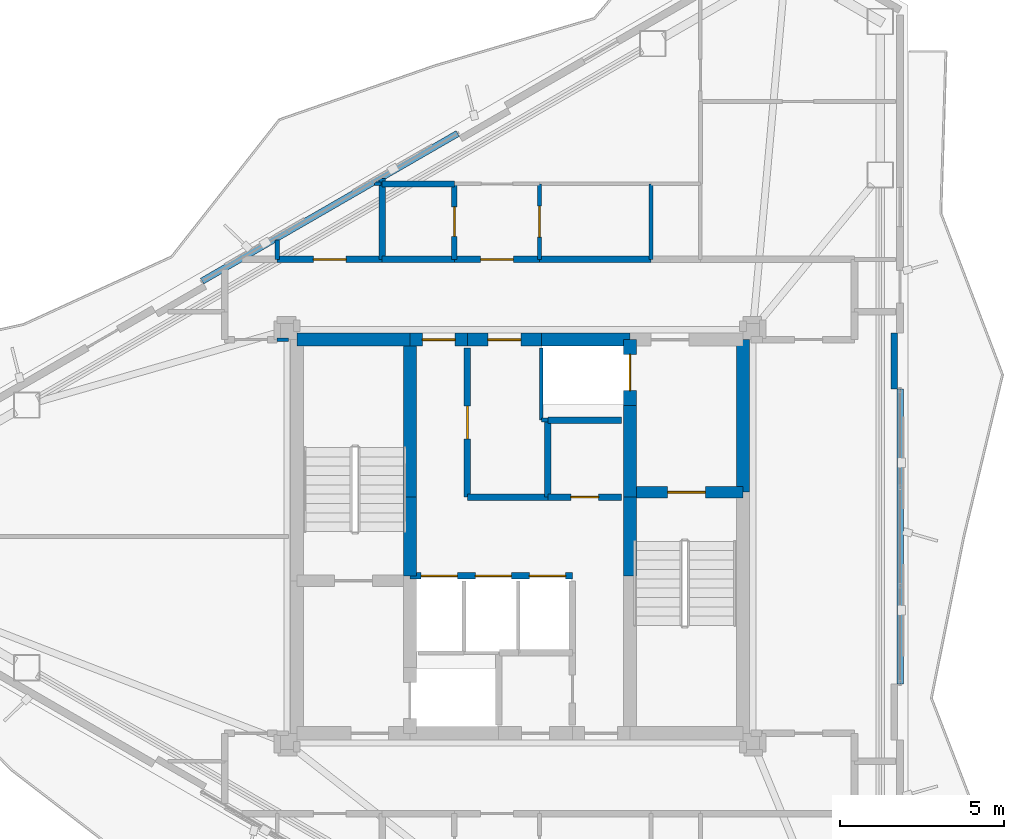
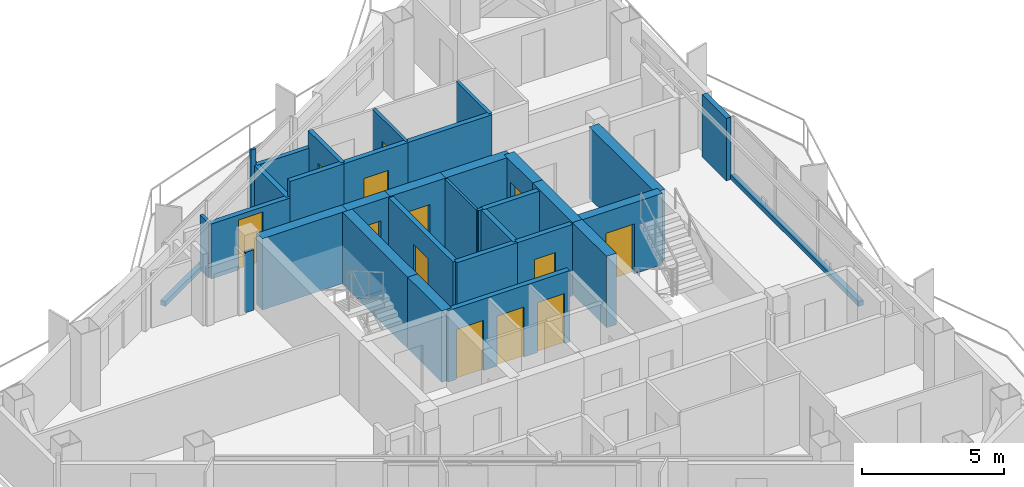
# One storey, part 18 of 22: 34 walls, 13 doors, 13 openings.
"""IFC4 building model written with IfcOpenShell, lengths in metres."""

import ifcopenshell
import ifcopenshell.guid

model = None  # the IFC model being written
_history = None  # IfcOwnerHistory: only IFC2X3 demands one
_inside = {}  # id of a spatial element -> (the spatial element, [elements in it])
_under = {}  # id of a project, library or spatial element -> (it, [spatial elements below it])
_declared = {}  # id of a project -> (the project, [libraries it declares])
_typed = {}  # id of a type object -> (the type object, [elements of that type])
_made_of = {}  # id of a material, layer set ... -> (it, [elements and type objects made of it])


def new_model(schema):
    """Start an empty IFC model of exactly this schema.

    Asked for "IFC4X3", IfcOpenShell would pick the latest addendum, in which some entities
    have other attributes; the version numbers below select the first issue.
    IFC2X3 requires an IfcOwnerHistory on every rooted entity: one is made here for all.
    """
    global model, _history
    if schema == "IFC4X3":
        model = ifcopenshell.file(schema_version=(4, 3, 0, 0))
    else:
        model = ifcopenshell.file(schema=schema)
    _inside.clear()
    _under.clear()
    _declared.clear()
    _typed.clear()
    _made_of.clear()
    _history = None
    if model.schema == "IFC2X3":
        org = make("IfcOrganization", Name="unknown")
        user = make(
            "IfcPersonAndOrganization",
            ThePerson=make("IfcPerson", FamilyName="unknown"),
            TheOrganization=org,
        )
        app = make(
            "IfcApplication",
            ApplicationDeveloper=org,
            Version="unknown",
            ApplicationFullName="unknown",
            ApplicationIdentifier="unknown",
        )
        _history = make(
            "IfcOwnerHistory",
            OwningUser=user,
            OwningApplication=app,
            ChangeAction="ADDED",
            CreationDate=0,
        )
    return model


def make(cls, **values):
    """One entity of the class cls with the attributes given. An attribute that is None is left unset."""
    return model.create_entity(
        cls, **{name: value for name, value in values.items() if value is not None}
    )


def rooted(cls, **values):
    """An entity with a GlobalId (a new one), such as an element, a storey or a relation."""
    return make(cls, GlobalId=ifcopenshell.guid.new(), OwnerHistory=_history, **values)


def si_unit(unit_type, name, prefix=None):
    """IfcSIUnit, for example si_unit("LENGTHUNIT", "METRE", prefix="MILLI")."""
    return make("IfcSIUnit", UnitType=unit_type, Prefix=prefix, Name=name)


def assignment(units):
    """IfcUnitAssignment: the units of a project."""
    return None if units is None else make("IfcUnitAssignment", Units=units)


def point(xyz):
    """IfcCartesianPoint."""
    return None if xyz is None else make("IfcCartesianPoint", Coordinates=xyz)


def direction(xyz):
    """IfcDirection."""
    return None if xyz is None else make("IfcDirection", DirectionRatios=xyz)


def frame(location, z_axis=None, x_axis=None):
    """IfcAxis2Placement3D, a coordinate frame: its origin and axes. An axis left out is left unset."""
    return make(
        "IfcAxis2Placement3D",
        Location=point(location),
        Axis=direction(z_axis),
        RefDirection=direction(x_axis),
    )


def frame_2d(location, x_axis=None):
    """IfcAxis2Placement2D, a coordinate frame in the plane: its origin and x axis."""
    return make(
        "IfcAxis2Placement2D", Location=point(location), RefDirection=direction(x_axis)
    )


def origin():
    """The frame at (0, 0, 0) with its axes left unset."""
    return frame((0.0, 0.0, 0.0))


def place(relative_to, where):
    """IfcLocalPlacement: puts the frame where relative to a parent placement (None: the world)."""
    return make(
        "IfcLocalPlacement", PlacementRelTo=relative_to, RelativePlacement=where
    )


def context(
    kind, dimensions, precision=None, world=None, true_north=None, identifier=None
):
    """IfcGeometricRepresentationContext, for example the 3D "Model" context."""
    return make(
        "IfcGeometricRepresentationContext",
        ContextIdentifier=identifier,
        ContextType=kind,
        CoordinateSpaceDimension=dimensions,
        Precision=precision,
        WorldCoordinateSystem=world,
        TrueNorth=true_north,
    )


def subcontext(parent, identifier, kind, view, scale=None):
    """IfcGeometricRepresentationSubContext, for example "Body" below "Model"."""
    return make(
        "IfcGeometricRepresentationSubContext",
        ContextIdentifier=identifier,
        ContextType=kind,
        ParentContext=parent,
        TargetScale=scale,
        TargetView=view,
    )


def project(units=None, contexts=None):
    """IfcProject with its units and contexts."""
    return rooted(
        "IfcProject",
        Name="project",
        RepresentationContexts=contexts,
        UnitsInContext=assignment(units),
    )


def spatial(cls, under=None, at=None, **own):
    """A site, building, storey or space (cls), placed at a placement, below another one or the project."""
    s = rooted(cls, ObjectPlacement=at, **own)
    if under is not None:
        _under.setdefault(under.id(), (under, []))[1].append(s)
    return s


def profile(cls, at=None, kind="AREA", **sizes):
    """A parametric profile (cls). Its sizes go by their IFC names, for example OverallWidth=200.0."""
    return make(cls, ProfileType=kind, Position=at, **sizes)


def rectangle(**sizes):
    """IfcRectangleProfileDef."""
    return profile("IfcRectangleProfileDef", **sizes)


def extrude(swept, where, along, depth):
    """IfcExtrudedAreaSolid: the profile swept, set in the frame where, extruded along a direction by depth."""
    return make(
        "IfcExtrudedAreaSolid",
        SweptArea=swept,
        Position=where,
        ExtrudedDirection=direction(along),
        Depth=depth,
    )


def shape(context_of_items, identifier, shape_type, items):
    """IfcShapeRepresentation: the items that make up one representation, for example the "Body"."""
    return make(
        "IfcShapeRepresentation",
        ContextOfItems=context_of_items,
        RepresentationIdentifier=identifier,
        RepresentationType=shape_type,
        Items=items,
    )


def material(Name=None, Category=None):
    """IfcMaterial."""
    return make("IfcMaterial", Name=Name, Category=Category)


def layer(
    of_material, thickness, ventilated=None, Name=None, Category=None, Priority=None
):
    """IfcMaterialLayer: one layer of a wall or slab, of a material (None: an air gap)."""
    return make(
        "IfcMaterialLayer",
        Material=of_material,
        LayerThickness=thickness,
        IsVentilated=ventilated,
        Name=Name,
        Category=Category,
        Priority=Priority,
    )


def layer_set(layers, Name=None):
    """IfcMaterialLayerSet."""
    return make("IfcMaterialLayerSet", MaterialLayers=layers, LayerSetName=Name)


def made_of(thing, what):
    """Note that an element or type object is made of a material, layer set ...; save() writes the relation."""
    if what is not None:
        _made_of.setdefault(what.id(), (what, []))[1].append(thing)
    return thing


def type_object(cls, material=None, **own):
    """A type object (cls), such as IfcWallType, which elements share."""
    return made_of(rooted(cls, **own), material)


def element(
    cls,
    number,
    at=None,
    inside=None,
    cuts=None,
    type_object=None,
    material=None,
    context=None,
    identifier="Body",
    shape_type=None,
    held_by="IfcProductDefinitionShape",
    body=None,
    shapes=None,
    **own,
):
    """One element of the class cls, such as IfcWall. Its Tag is "e" and its number.

    at: its placement. inside: the storey or other place that contains it. cuts: it is an
    opening in that element (IfcRelVoidsElement). A single representation is given by context,
    identifier, shape_type and body (its items); several are given by shapes. held_by: the class
    of the entity that holds the representations. save() writes the other relations.
    """
    e = rooted(cls, Tag="e%d" % number, ObjectPlacement=at, **own)
    if body is not None:
        shapes = [shape(context, identifier, shape_type, body)]
    if shapes is not None:
        e.Representation = make(held_by, Representations=shapes)
    if inside is not None:
        _inside.setdefault(inside.id(), (inside, []))[1].append(e)
    if cuts is not None:
        rooted(
            "IfcRelVoidsElement", RelatingBuildingElement=cuts, RelatedOpeningElement=e
        )
    if type_object is not None:
        _typed.setdefault(type_object.id(), (type_object, []))[1].append(e)
    return made_of(e, material)


def fill(opening, filler):
    """IfcRelFillsElement: the door or window that sits in an opening."""
    return rooted(
        "IfcRelFillsElement",
        RelatingOpeningElement=opening,
        RelatedBuildingElement=filler,
    )


def aggregate(whole, parts):
    """IfcRelAggregates: a whole, such as a stair, and the parts it consists of."""
    return rooted("IfcRelAggregates", RelatingObject=whole, RelatedObjects=parts)


def save(model, path):
    """Write the relations noted so far, then the file.

    IfcRelAggregates (storeys below a building ...), IfcRelContainedInSpatialStructure (elements
    in a storey), IfcRelDefinesByType, IfcRelAssociatesMaterial and IfcRelDeclares: one each for
    every whole, place, type object, material and project.
    """
    for whole, parts in _under.values():
        aggregate(whole, parts)
    for where, things in _inside.values():
        rooted(
            "IfcRelContainedInSpatialStructure",
            RelatedElements=things,
            RelatingStructure=where,
        )
    for kind, things in _typed.values():
        rooted("IfcRelDefinesByType", RelatedObjects=things, RelatingType=kind)
    for what, things in _made_of.values():
        rooted("IfcRelAssociatesMaterial", RelatedObjects=things, RelatingMaterial=what)
    for by, libraries in _declared.values():
        rooted("IfcRelDeclares", RelatingContext=by, RelatedDefinitions=libraries)
    model.write(path)


model = new_model("IFC4")

# Units and contexts
model_context = context("Model", 3, precision=1e-05, world=origin(), true_north=direction((0.0, 1.0)))
body_context = subcontext(model_context, "Body", "Model", "MODEL_VIEW")
ifc_project = project(units=[si_unit("LENGTHUNIT", "METRE"), si_unit("AREAUNIT", "SQUARE_METRE"), si_unit("VOLUMEUNIT", "CUBIC_METRE"), si_unit("PLANEANGLEUNIT", "RADIAN"), si_unit("MASSUNIT", "GRAM", prefix="KILO")], contexts=[model_context])

# Site, building, storey
site_placement = place(None, origin())
site = spatial("IfcSite", under=ifc_project, at=site_placement, CompositionType="ELEMENT")
building_placement = place(site_placement, origin())
building = spatial("IfcBuilding", under=site, at=building_placement, Name="Mersakhor Tower and Convention Hall", CompositionType="ELEMENT")
storey_placement = place(building_placement, frame((0.0, 0.0, 208.5)))
storey = spatial("IfcBuildingStorey", under=building, at=storey_placement, Name="L58", CompositionType="ELEMENT", Elevation=208.5)

# Walls
ifc_material_1 = material(Name="Precast concrete C40/50", Category="concrete")
ifc_layer_1 = layer(ifc_material_1, 0.199951171875)
ifc_layer_set_1 = layer_set([ifc_layer_1], Name="Precast concrete C40/50")
wall_type_1 = type_object("IfcWallType", Name="WL-PAR-200", PredefinedType="PARAPET", material=ifc_layer_set_1)
wall_1_placement = place(storey_placement, frame((19.30908203125, 34.5361328125, 0.0), z_axis=(0.0, 0.0, 1.0), x_axis=(0.866020680503, 0.500008180874, 0.0)))
element("IfcWall", 1, at=wall_1_placement, inside=storey, type_object=wall_type_1, Name="L58 Curtain Wall Upstand Sill F1-B2", PredefinedType="PARAPET", context=body_context, shape_type="SweptSolid", body=[
    extrude(rectangle(XDim=8.998779296875, YDim=0.199951171875, at=frame_2d((4.49951171875, 0.0))), origin(), (0.0, 0.0, 1.0), 0.199951171875),
])
wall_2_placement = place(storey_placement, frame((40.58837890625, 31.24951171875, 0.0), z_axis=(0.0, 0.0, 1.0), x_axis=(0.0, -1.0, 0.0)))
element("IfcWall", 2, at=wall_2_placement, inside=storey, type_object=wall_type_1, Name="L58 Curtain Wall Upstand Sill F2-B2", PredefinedType="PARAPET", context=body_context, shape_type="SweptSolid", body=[
    extrude(rectangle(XDim=8.9990234375, YDim=0.199951171875, at=frame_2d((4.49951171875, 0.0))), origin(), (0.0, 0.0, 1.0), 0.199951171875),
])
wall_3_placement = place(storey_placement, frame((40.408447265625, 32.949462890625, 0.0), z_axis=(0.0, 0.0, 1.0), x_axis=(0.0, -1.0, 0.0)))
element("IfcWall", 3, at=wall_3_placement, inside=storey, type_object=wall_type_1, Name="L58 Column Pier Cladding Wall F2-C1", PredefinedType="PARAPET", context=body_context, shape_type="SweptSolid", body=[
    extrude(rectangle(XDim=1.699951171875, YDim=0.199951171875, at=frame_2d((0.85009765625, 0.0))), origin(), (0.0, 0.0, 1.0), 2.68994140625),
])

# Wall, opening, door
ifc_material_2 = material(Name="Moisture-resistant acoustic drywall studwork", Category="other")
ifc_layer_2 = layer(ifc_material_2, 0.175048828125)
ifc_layer_set_2 = layer_set([ifc_layer_2], Name="Moisture-resistant acoustic drywall studwork")
wall_type_2 = type_object("IfcWallType", Name="WL-PLM-175", PredefinedType="PLUMBINGWALL", material=ifc_layer_set_2)
wall_4_placement = place(storey_placement, frame((27.0, 35.199951171875, 0.0), z_axis=(0.0, 0.0, 1.0), x_axis=(0.0, 1.0, 0.0)))
wall_4 = element("IfcWall", 4, at=wall_4_placement, inside=storey, type_object=wall_type_2, Name="L58 Interior Partition Wall P-056", PredefinedType="PLUMBINGWALL", context=body_context, shape_type="SweptSolid", body=[
    extrude(rectangle(XDim=2.300048828125, YDim=0.175048828125, at=frame_2d((1.14990234375, 0.0))), origin(), (0.0, 0.0, 1.0), 3.070068359375),
])
opening_1_placement = place(wall_4_placement, frame((0.699951171875, 0.0, 0.0)))
opening_1 = element("IfcOpeningElement", 5, at=opening_1_placement, cuts=wall_4, Name="Opening WD-01", PredefinedType="OPENING", context=body_context, shape_type="SweptSolid", body=[
    extrude(rectangle(XDim=0.89990234375, YDim=2.10009765625, at=frame_2d((0.449951171875, 1.050048828125))), frame((0.0, 0.097412109375, 0.0), z_axis=(0.0, -1.0, 0.0), x_axis=(1.0, 0.0, 0.0)), (0.0, 0.0, 1.0), 0.195068359375),
])
ifc_material_3 = material(Name="Solid-core hardwood leaf in painted steel frame", Category="steel")
door_type_1 = type_object("IfcDoorType", Name="DR-INT-WET-090x210", OperationType="NOTDEFINED", PredefinedType="DOOR", material=ifc_material_3)
door_1_placement = place(opening_1_placement, origin())
door_1 = element("IfcDoor", 6, at=door_1_placement, inside=storey, type_object=door_type_1, Name="L58 L58 Flat N2 Apartment Hall to L58 Flat N2 Bathroom Door", OperationType="SINGLE_SWING_LEFT", OverallHeight=2.10009765625, OverallWidth=0.89990234375, PredefinedType="DOOR", context=body_context, shape_type="SweptSolid", body=[
    extrude(rectangle(XDim=0.89990234375, YDim=2.10009765625, at=frame_2d((0.449951171875, 1.050048828125))), frame((0.0, 0.02490234375, 0.0), z_axis=(0.0, -1.0, 0.0), x_axis=(1.0, 0.0, 0.0)), (0.0, 0.0, 1.0), 0.050048828125),
])
fill(opening_1, door_1)

# Walls
wall_5_placement = place(storey_placement, frame((24.800048828125, 37.5, 0.0), z_axis=(0.0, 0.0, 1.0), x_axis=(1.0, 0.0, 0.0)))
element("IfcWall", 7, at=wall_5_placement, inside=storey, type_object=wall_type_2, Name="L58 Interior Partition Wall P-060", PredefinedType="PLUMBINGWALL", context=body_context, shape_type="SweptSolid", body=[
    extrude(rectangle(XDim=2.199951171875, YDim=0.175048828125, at=frame_2d((1.10009765625, 0.0))), origin(), (0.0, 0.0, 1.0), 2.364990234375),
])
ifc_material_4 = material(Name="Lightweight gypsum partition", Category="other")
ifc_layer_3 = layer(ifc_material_4, 0.10009765625)
ifc_layer_set_3 = layer_set([ifc_layer_3], Name="Lightweight gypsum partition")
wall_type_3 = type_object("IfcWallType", Name="WL-PRT-100", PredefinedType="PARTITIONING", material=ifc_layer_set_3)
wall_6_placement = place(storey_placement, frame((29.64990234375, 30.300048828125, 0.0), z_axis=(0.0, 0.0, 1.0), x_axis=(0.0, 1.0, 0.0)))
element("IfcWall", 8, at=wall_6_placement, inside=storey, type_object=wall_type_3, Name="L58 Interior Partition Wall P-006", PredefinedType="PARTITIONING", context=body_context, shape_type="SweptSolid", body=[
    extrude(rectangle(XDim=2.199951171875, YDim=0.10009765625, at=frame_2d((1.10009765625, 0.0))), origin(), (0.0, 0.0, 1.0), 3.070068359375),
])
wall_7_placement = place(storey_placement, frame((21.60009765625, 32.75, 0.0), z_axis=(0.0, 0.0, 1.0), x_axis=(1.0, 0.0, 0.0)))
element("IfcWall", 9, at=wall_7_placement, inside=storey, type_object=wall_type_3, Name="L58 Interior Partition Wall P-070", PredefinedType="PARTITIONING", context=body_context, shape_type="SweptSolid", body=[
    extrude(rectangle(XDim=0.349853515625, YDim=0.10009765625, at=frame_2d((0.1748046875, 0.0))), origin(), (0.0, 0.0, 1.0), 2.594970703125),
])
wall_8_placement = place(storey_placement, frame((24.57177734375, 37.5, 0.0), z_axis=(0.0, 0.0, 1.0), x_axis=(1.0, 0.0, 0.0)))
element("IfcWall", 10, at=wall_8_placement, inside=storey, type_object=wall_type_3, Name="L58 Interior Partition Wall P-080", PredefinedType="PARTITIONING", context=body_context, shape_type="SweptSolid", body=[
    extrude(rectangle(XDim=0.1982421875, YDim=0.10009765625, at=frame_2d((0.09912109375, 0.0))), origin(), (0.0, 0.0, 1.0), 3.070068359375),
])
ifc_material_5 = material(Name="Gypsum board acoustic partition", Category="other")
ifc_layer_4 = layer(ifc_material_5, 0.125)
ifc_layer_set_4 = layer_set([ifc_layer_4], Name="Gypsum board acoustic partition")
wall_type_4 = type_object("IfcWallType", Name="WL-PRT-125", PredefinedType="PARTITIONING", material=ifc_layer_set_4)
wall_9_placement = place(storey_placement, frame((29.85009765625, 30.300048828125, 0.0), z_axis=(0.0, 0.0, 1.0), x_axis=(-1.0, 0.0, 0.0)))
element("IfcWall", 11, at=wall_9_placement, inside=storey, type_object=wall_type_4, Name="L58 Interior Partition Wall P-005", PredefinedType="PARTITIONING", context=body_context, shape_type="SweptSolid", body=[
    extrude(rectangle(XDim=0.2001953125, YDim=0.125, at=frame_2d((0.10009765625, 0.0))), origin(), (0.0, 0.0, 1.0), 3.070068359375),
])

# Wall, opening, door
wall_10_placement = place(storey_placement, frame((29.60009765625, 37.5, 0.0), z_axis=(0.0, 0.0, 1.0), x_axis=(0.0, -1.0, 0.0)))
wall_10 = element("IfcWall", 12, at=wall_10_placement, inside=storey, type_object=wall_type_4, Name="L58 Interior Partition Wall P-055", PredefinedType="PARTITIONING", context=body_context, shape_type="SweptSolid", body=[
    extrude(rectangle(XDim=2.300048828125, YDim=0.125, at=frame_2d((1.14990234375, 0.0))), origin(), (0.0, 0.0, 1.0), 3.070068359375),
])
opening_2_placement = place(wall_10_placement, frame((0.675048828125, 0.0, 0.0)))
opening_2 = element("IfcOpeningElement", 13, at=opening_2_placement, cuts=wall_10, Name="Opening RD-01", PredefinedType="OPENING", context=body_context, shape_type="SweptSolid", body=[
    extrude(rectangle(XDim=0.949951171875, YDim=2.10009765625, at=frame_2d((0.47509765625, 1.050048828125))), frame((0.0, 0.072509765625, 0.0), z_axis=(0.0, -1.0, 0.0), x_axis=(1.0, 0.0, 0.0)), (0.0, 0.0, 1.0), 0.14501953125),
])
ifc_material_6 = material(Name="Solid-core hardwood leaf in painted steel frame", Category="steel")
door_type_2 = type_object("IfcDoorType", Name="DR-INT-RM-095x210", OperationType="NOTDEFINED", PredefinedType="DOOR", material=ifc_material_6)
door_2_placement = place(opening_2_placement, origin())
door_2 = element("IfcDoor", 14, at=door_2_placement, inside=storey, type_object=door_type_2, Name="L58 L58 Flat N2 Apartment Hall to L58 Flat N2 Kitchen Door", OperationType="SINGLE_SWING_RIGHT", OverallHeight=2.10009765625, OverallWidth=0.949951171875, PredefinedType="DOOR", context=body_context, shape_type="SweptSolid", body=[
    extrude(rectangle(XDim=0.949951171875, YDim=2.10009765625, at=frame_2d((0.47509765625, 1.050048828125))), frame((0.0, 0.02490234375, 0.0), z_axis=(0.0, -1.0, 0.0), x_axis=(1.0, 0.0, 0.0)), (0.0, 0.0, 1.0), 0.050048828125),
])
fill(opening_2, door_2)

# Walls
wall_11_placement = place(storey_placement, frame((33.0, 37.5, 0.0), z_axis=(0.0, 0.0, 1.0), x_axis=(0.0, -1.0, 0.0)))
element("IfcWall", 15, at=wall_11_placement, inside=storey, type_object=wall_type_4, Name="L58 Interior Partition Wall P-063", PredefinedType="PARTITIONING", context=body_context, shape_type="SweptSolid", body=[
    extrude(rectangle(XDim=2.300048828125, YDim=0.125, at=frame_2d((1.14990234375, 0.0))), origin(), (0.0, 0.0, 1.0), 3.070068359375),
])
wall_12_placement = place(storey_placement, frame((21.60009765625, 35.199951171875, 0.0), z_axis=(0.0, 0.0, 1.0), x_axis=(0.0, 1.0, 0.0)))
element("IfcWall", 16, at=wall_12_placement, inside=storey, type_object=wall_type_4, Name="L58 Interior Partition Wall P-081", PredefinedType="PARTITIONING", context=body_context, shape_type="SweptSolid", body=[
    extrude(rectangle(XDim=0.5849609375, YDim=0.125, at=frame_2d((0.29248046875, 0.0))), origin(), (0.0, 0.0, 1.0), 2.364990234375),
])

# Wall, openings, doors
ifc_material_7 = material(Name="Acoustic concrete blockwork and gypsum board", Category="masonry")
ifc_layer_5 = layer(ifc_material_7, 0.199951171875)
ifc_layer_set_5 = layer_set([ifc_layer_5], Name="Acoustic concrete blockwork and gypsum board")
wall_type_5 = type_object("IfcWallType", Name="WL-PRT-200", PredefinedType="PARTITIONING", material=ifc_layer_set_5)
wall_13_placement = place(storey_placement, frame((25.64990234375, 25.550048828125, 0.0), z_axis=(0.0, 0.0, 1.0), x_axis=(1.0, 0.0, 0.0)))
wall_13 = element("IfcWall", 17, at=wall_13_placement, inside=storey, type_object=wall_type_5, Name="L58 High-Rise Lift Bank Front Wall", PredefinedType="PARTITIONING", context=body_context, shape_type="SweptSolid", body=[
    extrude(rectangle(XDim=4.9501953125, YDim=0.199951171875, at=frame_2d((2.47509765625, 0.0))), origin(), (0.0, 0.0, 1.0), 3.070068359375),
])
opening_3_placement = place(wall_13_placement, frame((0.340087890625, 0.0, 0.0)))
opening_3 = element("IfcOpeningElement", 18, at=opening_3_placement, cuts=wall_13, Name="Opening LD-P4", PredefinedType="OPENING", context=body_context, shape_type="SweptSolid", body=[
    extrude(rectangle(XDim=1.10009765625, YDim=2.14990234375, at=frame_2d((0.550048828125, 1.074951171875))), frame((0.0, 0.10986328125, 0.0), z_axis=(0.0, -1.0, 0.0), x_axis=(1.0, 0.0, 0.0)), (0.0, 0.0, 1.0), 0.219970703125),
])
opening_4_placement = place(wall_13_placement, frame((1.989990234375, 0.0, 0.0)))
opening_4 = element("IfcOpeningElement", 19, at=opening_4_placement, cuts=wall_13, Name="Opening LD-P5", PredefinedType="OPENING", context=body_context, shape_type="SweptSolid", body=[
    extrude(rectangle(XDim=1.10009765625, YDim=2.14990234375, at=frame_2d((0.550048828125, 1.074951171875))), frame((0.0, 0.10986328125, 0.0), z_axis=(0.0, -1.0, 0.0), x_axis=(1.0, 0.0, 0.0)), (0.0, 0.0, 1.0), 0.219970703125),
])
opening_5_placement = place(wall_13_placement, frame((3.639892578125, 0.0, 0.0)))
opening_5 = element("IfcOpeningElement", 20, at=opening_5_placement, cuts=wall_13, Name="Opening LD-P6", PredefinedType="OPENING", context=body_context, shape_type="SweptSolid", body=[
    extrude(rectangle(XDim=1.10009765625, YDim=2.14990234375, at=frame_2d((0.550048828125, 1.074951171875))), frame((0.0, 0.10986328125, 0.0), z_axis=(0.0, -1.0, 0.0), x_axis=(1.0, 0.0, 0.0)), (0.0, 0.0, 1.0), 0.219970703125),
])
ifc_material_8 = material(Name="Fire-rated brushed stainless steel sliding landing door", Category="steel")
door_type_3 = type_object("IfcDoorType", Name="DR-LIFT-SLD-110x215", OperationType="NOTDEFINED", PredefinedType="DOOR", material=ifc_material_8)
door_3_placement = place(opening_3_placement, origin())
door_3 = element("IfcDoor", 21, at=door_3_placement, inside=storey, type_object=door_type_3, Name="L58 Lift Landing Door LD-P4", OperationType="SLIDING_TO_LEFT", OverallHeight=2.14990234375, OverallWidth=1.10009765625, PredefinedType="DOOR", context=body_context, shape_type="SweptSolid", body=[
    extrude(rectangle(XDim=1.10009765625, YDim=2.14990234375, at=frame_2d((0.550048828125, 1.074951171875))), frame((0.0, 0.02490234375, 0.0), z_axis=(0.0, -1.0, 0.0), x_axis=(1.0, 0.0, 0.0)), (0.0, 0.0, 1.0), 0.050048828125),
])
fill(opening_3, door_3)
door_4_placement = place(opening_4_placement, origin())
door_4 = element("IfcDoor", 22, at=door_4_placement, inside=storey, type_object=door_type_3, Name="L58 Lift Landing Door LD-P5", OperationType="SLIDING_TO_LEFT", OverallHeight=2.14990234375, OverallWidth=1.10009765625, PredefinedType="DOOR", context=body_context, shape_type="SweptSolid", body=[
    extrude(rectangle(XDim=1.10009765625, YDim=2.14990234375, at=frame_2d((0.550048828125, 1.074951171875))), frame((0.0, 0.02490234375, 0.0), z_axis=(0.0, -1.0, 0.0), x_axis=(1.0, 0.0, 0.0)), (0.0, 0.0, 1.0), 0.050048828125),
])
fill(opening_4, door_4)
door_5_placement = place(opening_5_placement, origin())
door_5 = element("IfcDoor", 23, at=door_5_placement, inside=storey, type_object=door_type_3, Name="L58 Lift Landing Door LD-P6", OperationType="SLIDING_TO_LEFT", OverallHeight=2.14990234375, OverallWidth=1.10009765625, PredefinedType="DOOR", context=body_context, shape_type="SweptSolid", body=[
    extrude(rectangle(XDim=1.10009765625, YDim=2.14990234375, at=frame_2d((0.550048828125, 1.074951171875))), frame((0.0, 0.02490234375, 0.0), z_axis=(0.0, -1.0, 0.0), x_axis=(1.0, 0.0, 0.0)), (0.0, 0.0, 1.0), 0.050048828125),
])
fill(opening_5, door_5)

# Wall
wall_14_placement = place(storey_placement, frame((32.10009765625, 30.300048828125, 0.0), z_axis=(0.0, 0.0, 1.0), x_axis=(-1.0, 0.0, 0.0)))
element("IfcWall", 24, at=wall_14_placement, inside=storey, type_object=wall_type_5, Name="L58 Interior Partition Wall P-004", PredefinedType="PARTITIONING", context=body_context, shape_type="SweptSolid", body=[
    extrude(rectangle(XDim=2.25, YDim=0.199951171875, at=frame_2d((1.125, 0.0))), origin(), (0.0, 0.0, 1.0), 3.070068359375),
])

# Wall, opening, door
wall_15_placement = place(storey_placement, frame((27.39990234375, 32.5, 0.0), z_axis=(0.0, 0.0, 1.0), x_axis=(0.0, -1.0, 0.0)))
wall_15 = element("IfcWall", 25, at=wall_15_placement, inside=storey, type_object=wall_type_5, Name="L58 Interior Partition Wall P-013", PredefinedType="PARTITIONING", context=body_context, shape_type="SweptSolid", body=[
    extrude(rectangle(XDim=4.550048828125, YDim=0.199951171875, at=frame_2d((2.27490234375, 0.0))), origin(), (0.0, 0.0, 1.0), 3.070068359375),
])
opening_6_placement = place(wall_15_placement, frame((1.77490234375, 0.0, 0.0)))
opening_6 = element("IfcOpeningElement", 26, at=opening_6_placement, cuts=wall_15, Name="Opening FD-01", PredefinedType="OPENING", context=body_context, shape_type="SweptSolid", body=[
    extrude(rectangle(XDim=1.0, YDim=2.14990234375, at=frame_2d((0.5, 1.074951171875))), frame((0.0, 0.10986328125, 0.0), z_axis=(0.0, -1.0, 0.0), x_axis=(1.0, 0.0, 0.0)), (0.0, 0.0, 1.0), 0.219970703125),
])
ifc_material_9 = material(Name="Fire-rated hardwood leaf and painted steel frame", Category="steel")
door_type_4 = type_object("IfcDoorType", Name="DR-INT-FLT-100x215", OperationType="NOTDEFINED", PredefinedType="DOOR", material=ifc_material_9)
door_6_placement = place(opening_6_placement, origin())
door_6 = element("IfcDoor", 27, at=door_6_placement, inside=storey, type_object=door_type_4, Name="L58 Central Passenger Lift Lobby to Communal Resident Laundry Room Door", OperationType="SINGLE_SWING_RIGHT", OverallHeight=2.14990234375, OverallWidth=1.0, PredefinedType="DOOR", context=body_context, shape_type="SweptSolid", body=[
    extrude(rectangle(XDim=1.0, YDim=2.14990234375, at=frame_2d((0.5, 1.074951171875))), frame((0.0, 0.02490234375, 0.0), z_axis=(0.0, -1.0, 0.0), x_axis=(1.0, 0.0, 0.0)), (0.0, 0.0, 1.0), 0.050048828125),
])
fill(opening_6, door_6)

# Wall
wall_16_placement = place(storey_placement, frame((27.39990234375, 27.949951171875, 0.0), z_axis=(0.0, 0.0, 1.0), x_axis=(1.0, 0.0, 0.0)))
element("IfcWall", 28, at=wall_16_placement, inside=storey, type_object=wall_type_5, Name="L58 Interior Partition Wall P-014", PredefinedType="PARTITIONING", context=body_context, shape_type="SweptSolid", body=[
    extrude(rectangle(XDim=2.4501953125, YDim=0.199951171875, at=frame_2d((1.22509765625, 0.0))), origin(), (0.0, 0.0, 1.0), 3.070068359375),
])

# Wall, opening, door
wall_17_placement = place(storey_placement, frame((29.85009765625, 27.949951171875, 0.0), z_axis=(0.0, 0.0, 1.0), x_axis=(1.0, 0.0, 0.0)))
wall_17 = element("IfcWall", 29, at=wall_17_placement, inside=storey, type_object=wall_type_5, Name="L58 Interior Partition Wall P-015", PredefinedType="PARTITIONING", context=body_context, shape_type="SweptSolid", body=[
    extrude(rectangle(XDim=2.25, YDim=0.199951171875, at=frame_2d((1.125, 0.0))), origin(), (0.0, 0.0, 1.0), 3.070068359375),
])
opening_7_placement = place(wall_17_placement, frame((0.699951171875, 0.0, 0.0)))
opening_7 = element("IfcOpeningElement", 30, at=opening_7_placement, cuts=wall_17, Name="Opening SVD-01", PredefinedType="OPENING", context=body_context, shape_type="SweptSolid", body=[
    extrude(rectangle(XDim=0.85009765625, YDim=2.10009765625, at=frame_2d((0.425048828125, 1.050048828125))), frame((0.0, 0.10986328125, 0.0), z_axis=(0.0, -1.0, 0.0), x_axis=(1.0, 0.0, 0.0)), (0.0, 0.0, 1.0), 0.219970703125),
])
ifc_material_10 = material(Name="Fire-rated hardwood leaf and painted steel frame", Category="steel")
door_type_5 = type_object("IfcDoorType", Name="DR-INT-SVC-085x210", OperationType="NOTDEFINED", PredefinedType="DOOR", material=ifc_material_10)
door_7_placement = place(opening_7_placement, origin())
door_7 = element("IfcDoor", 31, at=door_7_placement, inside=storey, type_object=door_type_5, Name="L58 Central Passenger Lift Lobby to Resident Pram and Linen Store Room Door", OperationType="SINGLE_SWING_LEFT", OverallHeight=2.10009765625, OverallWidth=0.85009765625, PredefinedType="DOOR", context=body_context, shape_type="SweptSolid", body=[
    extrude(rectangle(XDim=0.85009765625, YDim=2.10009765625, at=frame_2d((0.425048828125, 1.050048828125))), frame((0.0, 0.02490234375, 0.0), z_axis=(0.0, -1.0, 0.0), x_axis=(1.0, 0.0, 0.0)), (0.0, 0.0, 1.0), 0.050048828125),
])
fill(opening_7, door_7)

wall_18_placement = place(storey_placement, frame((21.60009765625, 35.199951171875, 0.0), z_axis=(0.0, 0.0, 1.0), x_axis=(1.0, 0.0, 0.0)))
wall_18 = element("IfcWall", 32, at=wall_18_placement, inside=storey, type_object=wall_type_5, Name="L58 Interior Partition Wall P-029", PredefinedType="PARTITIONING", context=body_context, shape_type="SweptSolid", body=[
    extrude(rectangle(XDim=3.199951171875, YDim=0.199951171875, at=frame_2d((1.60009765625, 0.0))), origin(), (0.0, 0.0, 1.0), 2.364990234375),
])
opening_8_placement = place(wall_18_placement, frame((1.10009765625, 0.0, 0.0)))
opening_8 = element("IfcOpeningElement", 33, at=opening_8_placement, cuts=wall_18, Name="Opening FD-01", PredefinedType="OPENING", context=body_context, shape_type="SweptSolid", body=[
    extrude(rectangle(XDim=1.0, YDim=2.14990234375, at=frame_2d((0.5, 1.074951171875))), frame((0.0, 0.10986328125, 0.0), z_axis=(0.0, -1.0, 0.0), x_axis=(1.0, 0.0, 0.0)), (0.0, 0.0, 1.0), 0.219970703125),
])
door_8_placement = place(opening_8_placement, origin())
door_8 = element("IfcDoor", 34, at=door_8_placement, inside=storey, type_object=door_type_4, Name="L58 Residential North Gallery Corridor to L58 Floor Shared Tea Pantry 1-1 Door", OperationType="SINGLE_SWING_LEFT", OverallHeight=2.14990234375, OverallWidth=1.0, PredefinedType="DOOR", context=body_context, shape_type="SweptSolid", body=[
    extrude(rectangle(XDim=1.0, YDim=2.14990234375, at=frame_2d((0.5, 1.074951171875))), frame((0.0, 0.02490234375, 0.0), z_axis=(0.0, -1.0, 0.0), x_axis=(1.0, 0.0, 0.0)), (0.0, 0.0, 1.0), 0.050048828125),
])
fill(opening_8, door_8)

# Wall
wall_19_placement = place(storey_placement, frame((24.800048828125, 35.199951171875, 0.0), z_axis=(0.0, 0.0, 1.0), x_axis=(1.0, 0.0, 0.0)))
element("IfcWall", 35, at=wall_19_placement, inside=storey, type_object=wall_type_5, Name="L58 Interior Partition Wall P-030", PredefinedType="PARTITIONING", context=body_context, shape_type="SweptSolid", body=[
    extrude(rectangle(XDim=2.199951171875, YDim=0.199951171875, at=frame_2d((1.10009765625, 0.0))), origin(), (0.0, 0.0, 1.0), 3.070068359375),
])

# Wall, opening, door
wall_20_placement = place(storey_placement, frame((27.0, 35.199951171875, 0.0), z_axis=(0.0, 0.0, 1.0), x_axis=(1.0, 0.0, 0.0)))
wall_20 = element("IfcWall", 36, at=wall_20_placement, inside=storey, type_object=wall_type_5, Name="L58 Interior Partition Wall P-031", PredefinedType="PARTITIONING", context=body_context, shape_type="SweptSolid", body=[
    extrude(rectangle(XDim=2.60009765625, YDim=0.199951171875, at=frame_2d((1.300048828125, 0.0))), origin(), (0.0, 0.0, 1.0), 3.070068359375),
])
opening_9_placement = place(wall_20_placement, frame((0.800048828125, 0.0, 0.0)))
opening_9 = element("IfcOpeningElement", 37, at=opening_9_placement, cuts=wall_20, Name="Opening FD-01", PredefinedType="OPENING", context=body_context, shape_type="SweptSolid", body=[
    extrude(rectangle(XDim=1.0, YDim=2.14990234375, at=frame_2d((0.5, 1.074951171875))), frame((0.0, 0.10986328125, 0.0), z_axis=(0.0, -1.0, 0.0), x_axis=(1.0, 0.0, 0.0)), (0.0, 0.0, 1.0), 0.219970703125),
])
door_9_placement = place(opening_9_placement, origin())
door_9 = element("IfcDoor", 38, at=door_9_placement, inside=storey, type_object=door_type_4, Name="L58 Apartment Entrance Door (Residential North Gallery Corridor to L58 Flat N2 Apartment Hall)", OperationType="SINGLE_SWING_LEFT", OverallHeight=2.14990234375, OverallWidth=1.0, PredefinedType="DOOR", context=body_context, shape_type="SweptSolid", body=[
    extrude(rectangle(XDim=1.0, YDim=2.14990234375, at=frame_2d((0.5, 1.074951171875))), frame((0.0, 0.02490234375, 0.0), z_axis=(0.0, -1.0, 0.0), x_axis=(1.0, 0.0, 0.0)), (0.0, 0.0, 1.0), 0.050048828125),
])
fill(opening_9, door_9)

# Walls
wall_21_placement = place(storey_placement, frame((29.60009765625, 35.199951171875, 0.0), z_axis=(0.0, 0.0, 1.0), x_axis=(1.0, 0.0, 0.0)))
element("IfcWall", 39, at=wall_21_placement, inside=storey, type_object=wall_type_5, Name="L58 Interior Partition Wall P-032", PredefinedType="PARTITIONING", context=body_context, shape_type="SweptSolid", body=[
    extrude(rectangle(XDim=3.39990234375, YDim=0.199951171875, at=frame_2d((1.699951171875, 0.0))), origin(), (0.0, 0.0, 1.0), 3.070068359375),
])
wall_22_placement = place(storey_placement, frame((24.800048828125, 35.199951171875, 0.0), z_axis=(0.0, 0.0, 1.0), x_axis=(0.0, 1.0, 0.0)))
element("IfcWall", 40, at=wall_22_placement, inside=storey, type_object=wall_type_5, Name="L58 Interior Partition Wall P-061", PredefinedType="PARTITIONING", context=body_context, shape_type="SweptSolid", body=[
    extrude(rectangle(XDim=2.46240234375, YDim=0.199951171875, at=frame_2d((1.231201171875, 0.0))), origin(), (0.0, 0.0, 1.0), 2.364990234375),
])
wall_23_placement = place(storey_placement, frame((29.85009765625, 30.300048828125, 0.0), z_axis=(0.0, 0.0, 1.0), x_axis=(0.0, -1.0, 0.0)))
element("IfcWall", 41, at=wall_23_placement, inside=storey, type_object=wall_type_5, Name="L58 Interior Partition Wall P-068", PredefinedType="PARTITIONING", context=body_context, shape_type="SweptSolid", body=[
    extrude(rectangle(XDim=2.35009765625, YDim=0.199951171875, at=frame_2d((1.175048828125, 0.0))), origin(), (0.0, 0.0, 1.0), 3.070068359375),
])

# Wall, opening, door
ifc_material_11 = material(Name="Concrete C50/60", Category="concrete")
ifc_layer_6 = layer(ifc_material_11, 0.35009765625)
ifc_layer_set_6 = layer_set([ifc_layer_6], Name="Concrete C50/60")
wall_type_6 = type_object("IfcWallType", Name="WL-SHR-350", PredefinedType="SHEAR", material=ifc_layer_set_6)
wall_24_placement = place(storey_placement, frame((32.35009765625, 28.10009765625, 0.0), z_axis=(0.0, 0.0, 1.0), x_axis=(1.0, 0.0, 0.0)))
wall_24 = element("IfcWall", 42, at=wall_24_placement, inside=storey, type_object=wall_type_6, Name="L58 Core Wall CS-ST2-N", PredefinedType="SHEAR", context=body_context, shape_type="SweptSolid", body=[
    extrude(rectangle(XDim=3.449951171875, YDim=0.35009765625, at=frame_2d((1.72509765625, 0.0))), origin(), (0.0, 0.0, 1.0), 3.070068359375),
])
opening_10_placement = place(wall_24_placement, frame((1.14990234375, 0.0, 0.0)))
opening_10 = element("IfcOpeningElement", 43, at=opening_10_placement, cuts=wall_24, Name="Opening SD-01", PredefinedType="OPENING", context=body_context, shape_type="SweptSolid", body=[
    extrude(rectangle(XDim=1.14990234375, YDim=2.14990234375, at=frame_2d((0.574951171875, 1.074951171875))), frame((0.0, 0.18505859375, 0.0), z_axis=(0.0, -1.0, 0.0), x_axis=(1.0, 0.0, 0.0)), (0.0, 0.0, 1.0), 0.3701171875),
])
ifc_material_12 = material(Name="Fire-rated hardwood leaf and painted steel frame", Category="steel")
door_type_6 = type_object("IfcDoorType", Name="DR-INT-STAIR-115x215", OperationType="NOTDEFINED", PredefinedType="DOOR", material=ifc_material_12)
door_10_placement = place(opening_10_placement, origin())
door_10 = element("IfcDoor", 44, at=door_10_placement, inside=storey, type_object=door_type_6, Name="L58 Exit Stair ST-2 Enclosure Door", OperationType="SINGLE_SWING_RIGHT", OverallHeight=2.14990234375, OverallWidth=1.14990234375, PredefinedType="DOOR", context=body_context, shape_type="SweptSolid", body=[
    extrude(rectangle(XDim=1.14990234375, YDim=2.14990234375, at=frame_2d((0.574951171875, 1.074951171875))), frame((0.0, 0.02490234375, 0.0), z_axis=(0.0, -1.0, 0.0), x_axis=(1.0, 0.0, 0.0)), (0.0, 0.0, 1.0), 0.050048828125),
])
fill(opening_10, door_10)

# Wall
ifc_material_13 = material(Name="Concrete C60/75", Category="concrete")
ifc_layer_7 = layer(ifc_material_13, 0.39990234375)
ifc_layer_set_7 = layer_set([ifc_layer_7], Name="Concrete C60/75")
wall_type_7 = type_object("IfcWallType", Name="WL-SHR-400", PredefinedType="SHEAR", material=ifc_layer_set_7)
wall_25_placement = place(storey_placement, frame((22.199951171875, 32.75, 0.0), z_axis=(0.0, 0.0, 1.0), x_axis=(1.0, 0.0, 0.0)))
element("IfcWall", 45, at=wall_25_placement, inside=storey, type_object=wall_type_7, Name="L58 Core Wall CW-N1", PredefinedType="SHEAR", context=body_context, shape_type="SweptSolid", body=[
    extrude(rectangle(XDim=3.449951171875, YDim=0.39990234375, at=frame_2d((1.72509765625, 0.0))), origin(), (0.0, 0.0, 1.0), 3.070068359375),
])

# Wall, opening, door
wall_26_placement = place(storey_placement, frame((25.64990234375, 32.75, 0.0), z_axis=(0.0, 0.0, 1.0), x_axis=(1.0, 0.0, 0.0)))
wall_26 = element("IfcWall", 46, at=wall_26_placement, inside=storey, type_object=wall_type_7, Name="L58 Core Wall CW-N2A", PredefinedType="SHEAR", context=body_context, shape_type="SweptSolid", body=[
    extrude(rectangle(XDim=1.75, YDim=0.39990234375, at=frame_2d((0.875, 0.0))), origin(), (0.0, 0.0, 1.0), 3.070068359375),
])
opening_11_placement = place(wall_26_placement, frame((0.375, 0.0, 0.0)))
opening_11 = element("IfcOpeningElement", 47, at=opening_11_placement, cuts=wall_26, Name="Opening CFD-01", PredefinedType="OPENING", context=body_context, shape_type="SweptSolid", body=[
    extrude(rectangle(XDim=1.0, YDim=2.14990234375, at=frame_2d((0.5, 1.074951171875))), frame((0.0, 0.2099609375, 0.0), z_axis=(0.0, -1.0, 0.0), x_axis=(1.0, 0.0, 0.0)), (0.0, 0.0, 1.0), 0.419921875),
])
ifc_material_14 = material(Name="Fire-rated hardwood leaf and painted steel frame", Category="steel")
door_type_7 = type_object("IfcDoorType", Name="DR-CORE-FD-100x215", OperationType="NOTDEFINED", PredefinedType="DOOR", material=ifc_material_14)
door_11_placement = place(opening_11_placement, origin())
door_11 = element("IfcDoor", 48, at=door_11_placement, inside=storey, type_object=door_type_7, Name="L58 Lift Lobby North Corridor Door", OperationType="SINGLE_SWING_LEFT", OverallHeight=2.14990234375, OverallWidth=1.0, PredefinedType="DOOR", context=body_context, shape_type="SweptSolid", body=[
    extrude(rectangle(XDim=1.0, YDim=2.14990234375, at=frame_2d((0.5, 1.074951171875))), frame((0.0, 0.02490234375, 0.0), z_axis=(0.0, -1.0, 0.0), x_axis=(1.0, 0.0, 0.0)), (0.0, 0.0, 1.0), 0.050048828125),
])
fill(opening_11, door_11)

wall_27_placement = place(storey_placement, frame((27.39990234375, 32.75, 0.0), z_axis=(0.0, 0.0, 1.0), x_axis=(1.0, 0.0, 0.0)))
wall_27 = element("IfcWall", 49, at=wall_27_placement, inside=storey, type_object=wall_type_7, Name="L58 Core Wall CW-N2B", PredefinedType="SHEAR", context=body_context, shape_type="SweptSolid", body=[
    extrude(rectangle(XDim=2.25, YDim=0.39990234375, at=frame_2d((1.125, 0.0))), origin(), (0.0, 0.0, 1.0), 3.070068359375),
])
opening_12_placement = place(wall_27_placement, frame((0.625, 0.0, 0.0)))
opening_12 = element("IfcOpeningElement", 50, at=opening_12_placement, cuts=wall_27, Name="Opening FD-01", PredefinedType="OPENING", context=body_context, shape_type="SweptSolid", body=[
    extrude(rectangle(XDim=1.0, YDim=2.14990234375, at=frame_2d((0.5, 1.074951171875))), frame((0.0, 0.2099609375, 0.0), z_axis=(0.0, -1.0, 0.0), x_axis=(1.0, 0.0, 0.0)), (0.0, 0.0, 1.0), 0.419921875),
])
door_12_placement = place(opening_12_placement, origin())
door_12 = element("IfcDoor", 51, at=door_12_placement, inside=storey, type_object=door_type_4, Name="L58 Residential North Gallery Corridor to Communal Resident Laundry Room Door", OperationType="SINGLE_SWING_RIGHT", OverallHeight=2.14990234375, OverallWidth=1.0, PredefinedType="DOOR", context=body_context, shape_type="SweptSolid", body=[
    extrude(rectangle(XDim=1.0, YDim=2.14990234375, at=frame_2d((0.5, 1.074951171875))), frame((0.0, 0.02490234375, 0.0), z_axis=(0.0, -1.0, 0.0), x_axis=(1.0, 0.0, 0.0)), (0.0, 0.0, 1.0), 0.050048828125),
])
fill(opening_12, door_12)

# Walls
wall_28_placement = place(storey_placement, frame((29.64990234375, 32.75, 0.0), z_axis=(0.0, 0.0, 1.0), x_axis=(1.0, 0.0, 0.0)))
element("IfcWall", 52, at=wall_28_placement, inside=storey, type_object=wall_type_7, Name="L58 Core Wall CW-N3", PredefinedType="SHEAR", context=body_context, shape_type="SweptSolid", body=[
    extrude(rectangle(XDim=2.7001953125, YDim=0.39990234375, at=frame_2d((1.35009765625, 0.0))), origin(), (0.0, 0.0, 1.0), 3.070068359375),
])
wall_29_placement = place(storey_placement, frame((35.800048828125, 32.75, 0.0), z_axis=(0.0, 0.0, 1.0), x_axis=(0.0, -1.0, 0.0)))
element("IfcWall", 53, at=wall_29_placement, inside=storey, type_object=wall_type_7, Name="L58 Core Wall CW-E1", PredefinedType="SHEAR", context=body_context, shape_type="SweptSolid", body=[
    extrude(rectangle(XDim=4.64990234375, YDim=0.39990234375, at=frame_2d((2.324951171875, 0.0))), origin(), (0.0, 0.0, 1.0), 3.070068359375),
])
wall_30_placement = place(storey_placement, frame((25.64990234375, 25.550048828125, 0.0), z_axis=(0.0, 0.0, 1.0), x_axis=(0.0, 1.0, 0.0)))
element("IfcWall", 54, at=wall_30_placement, inside=storey, type_object=wall_type_7, Name="L58 Core Wall CS-W-LOB", PredefinedType="SHEAR", context=body_context, shape_type="SweptSolid", body=[
    extrude(rectangle(XDim=2.39990234375, YDim=0.39990234375, at=frame_2d((1.199951171875, 0.0))), origin(), (0.0, 0.0, 1.0), 3.070068359375),
])
wall_31_placement = place(storey_placement, frame((25.64990234375, 27.949951171875, 0.0), z_axis=(0.0, 0.0, 1.0), x_axis=(0.0, 1.0, 0.0)))
element("IfcWall", 55, at=wall_31_placement, inside=storey, type_object=wall_type_7, Name="L58 Core Wall CS-W-ST1", PredefinedType="SHEAR", context=body_context, shape_type="SweptSolid", body=[
    extrude(rectangle(XDim=4.800048828125, YDim=0.39990234375, at=frame_2d((2.39990234375, 0.0))), origin(), (0.0, 0.0, 1.0), 3.070068359375),
])
wall_32_placement = place(storey_placement, frame((32.35009765625, 25.550048828125, 0.0), z_axis=(0.0, 0.0, 1.0), x_axis=(0.0, 1.0, 0.0)))
element("IfcWall", 56, at=wall_32_placement, inside=storey, type_object=wall_type_7, Name="L58 Core Wall CS-E-LOB", PredefinedType="SHEAR", context=body_context, shape_type="SweptSolid", body=[
    extrude(rectangle(XDim=2.39990234375, YDim=0.39990234375, at=frame_2d((1.199951171875, 0.0))), origin(), (0.0, 0.0, 1.0), 3.070068359375),
])
wall_33_placement = place(storey_placement, frame((32.35009765625, 27.949951171875, 0.0), z_axis=(0.0, 0.0, 1.0), x_axis=(0.0, 1.0, 0.0)))
element("IfcWall", 57, at=wall_33_placement, inside=storey, type_object=wall_type_7, Name="L58 Core Wall CS-E-MID", PredefinedType="SHEAR", context=body_context, shape_type="SweptSolid", body=[
    extrude(rectangle(XDim=2.800048828125, YDim=0.39990234375, at=frame_2d((1.39990234375, 0.0))), origin(), (0.0, 0.0, 1.0), 3.070068359375),
])

# Wall, opening, door
wall_34_placement = place(storey_placement, frame((32.35009765625, 30.75, 0.0), z_axis=(0.0, 0.0, 1.0), x_axis=(0.0, 1.0, 0.0)))
wall_34 = element("IfcWall", 58, at=wall_34_placement, inside=storey, type_object=wall_type_7, Name="L58 Core Wall CS-E-FFL", PredefinedType="SHEAR", context=body_context, shape_type="SweptSolid", body=[
    extrude(rectangle(XDim=2.0, YDim=0.39990234375, at=frame_2d((1.0, 0.0))), origin(), (0.0, 0.0, 1.0), 3.070068359375),
])
opening_13_placement = place(wall_34_placement, frame((0.449951171875, 0.0, 0.0)))
opening_13 = element("IfcOpeningElement", 59, at=opening_13_placement, cuts=wall_34, Name="Opening LD-FFL2", PredefinedType="OPENING", context=body_context, shape_type="SweptSolid", body=[
    extrude(rectangle(XDim=1.10009765625, YDim=2.14990234375, at=frame_2d((0.550048828125, 1.074951171875))), frame((0.0, 0.2099609375, 0.0), z_axis=(0.0, -1.0, 0.0), x_axis=(1.0, 0.0, 0.0)), (0.0, 0.0, 1.0), 0.419921875),
])
door_13_placement = place(opening_13_placement, origin())
door_13 = element("IfcDoor", 60, at=door_13_placement, inside=storey, type_object=door_type_3, Name="L58 Firefighting Lift Landing Door LD-FFL2", OperationType="SLIDING_TO_LEFT", OverallHeight=2.14990234375, OverallWidth=1.10009765625, PredefinedType="DOOR", context=body_context, shape_type="SweptSolid", body=[
    extrude(rectangle(XDim=1.10009765625, YDim=2.14990234375, at=frame_2d((0.550048828125, 1.074951171875))), frame((0.0, 0.02490234375, 0.0), z_axis=(0.0, -1.0, 0.0), x_axis=(1.0, 0.0, 0.0)), (0.0, 0.0, 1.0), 0.050048828125),
])
fill(opening_13, door_13)

save(model, "model.ifc")
